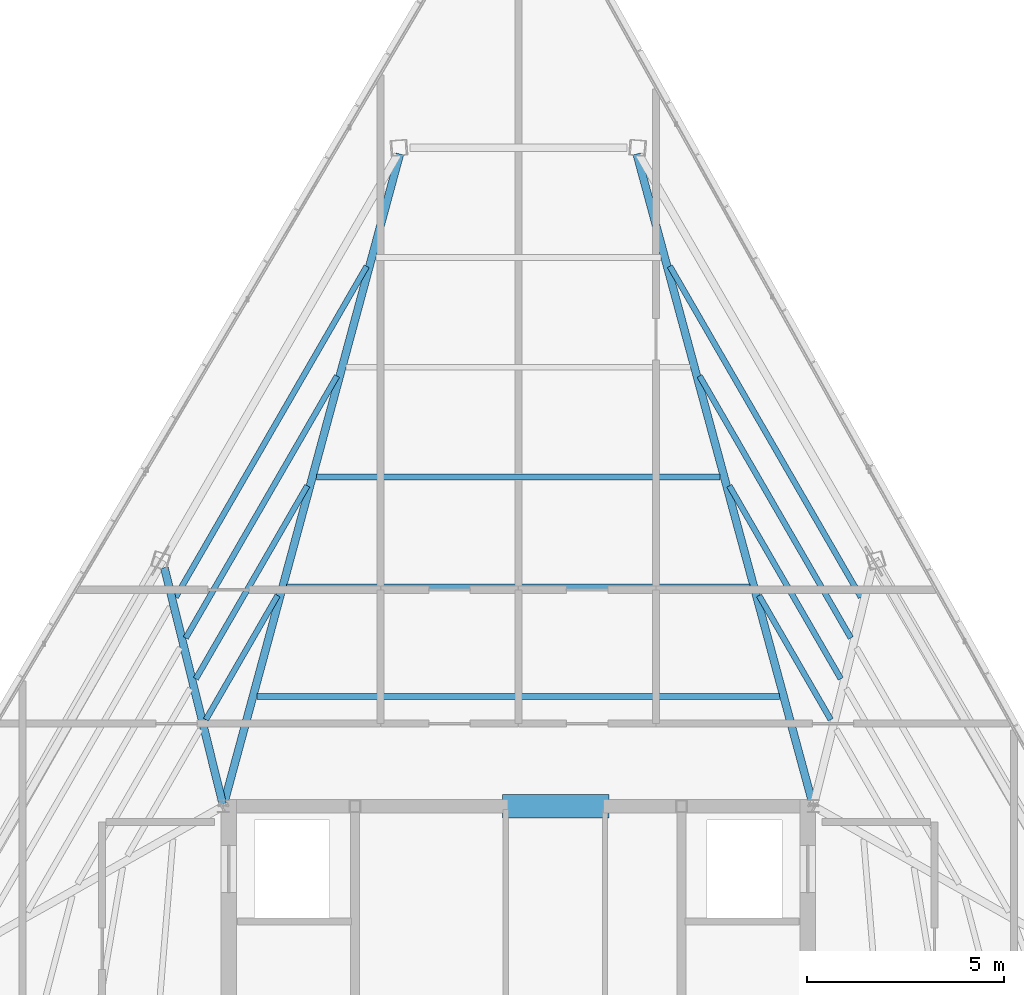
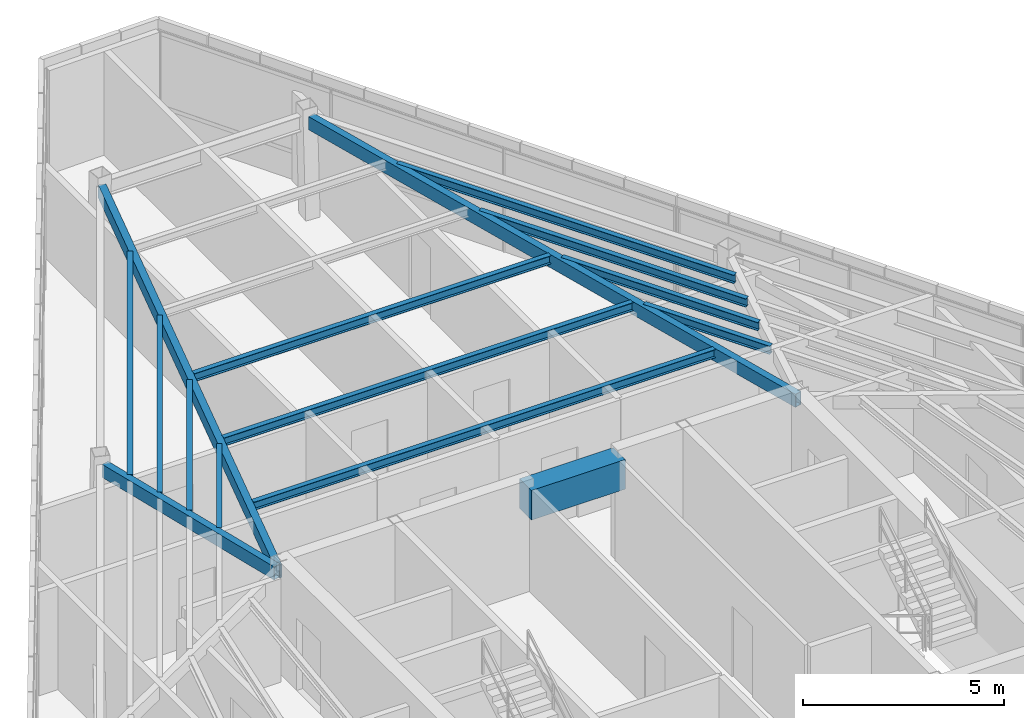
# One storey, part 20 of 44: 15 beams.
"""IFC4 building model written with IfcOpenShell, lengths in metres."""

from ifc_helpers import new_model, si_unit, direction, frame, origin, origin_2d, place, context, subcontext, project, spatial, rectangle, hollow_rectangle, i_section, extrude, source, transform, mapped, material, material_profile, profile_set, type_object, type_shapes, element, save


model = new_model("IFC4")

# Units and contexts
model_context = context("Model", 3, precision=1e-05, world=origin(), true_north=direction((0.0, 1.0)))
body_context = subcontext(model_context, "Body", "Model", "MODEL_VIEW")
ifc_project = project(units=[si_unit("LENGTHUNIT", "METRE"), si_unit("AREAUNIT", "SQUARE_METRE"), si_unit("VOLUMEUNIT", "CUBIC_METRE"), si_unit("PLANEANGLEUNIT", "RADIAN"), si_unit("MASSUNIT", "GRAM", prefix="KILO")], contexts=[model_context])

# Site, building, storey
site_placement = place(None, origin())
site = spatial("IfcSite", under=ifc_project, at=site_placement, CompositionType="ELEMENT")
building_placement = place(site_placement, origin())
building = spatial("IfcBuilding", under=site, at=building_placement, Name="Caelisora Broadcast Tower", CompositionType="ELEMENT")
storey_placement = place(building_placement, frame((0.0, 0.0, 289.800048828125)))
storey = spatial("IfcBuildingStorey", under=building, at=storey_placement, Name="L76", CompositionType="ELEMENT", Elevation=289.800048828125)

# Beams
ifc_material_1 = material(Name="Concrete 50 MPa (AS 3600 S50)", Category="concrete")
ifc_material_profile_1 = material_profile(ifc_material_1, rectangle(XDim=0.60009765625, YDim=0.89990234375, at=origin_2d()), Name="Concrete 50 MPa (AS 3600 S50)")
ifc_profile_set_1 = profile_set([ifc_material_profile_1], Name="Concrete 50 MPa (AS 3600 S50)")
beam_type_1 = type_object("IfcBeamType", Name="CB02", PredefinedType="LINTEL", material=ifc_profile_set_1)
shared_shape_1 = source(origin(), body_context, "Body", "SweptSolid", [
    extrude(rectangle(XDim=0.60009765625, YDim=0.89990234375, at=origin_2d()), origin(), (0.0, 0.0, 1.0), 2.699951171875),
])
type_shapes(beam_type_1, [shared_shape_1])
beam_1_placement = place(storey_placement, frame((37.60009765625, 30.0, 2.699951171875), z_axis=(1.0, 0.0, 0.0), x_axis=(0.0, 1.0, 0.0)))
element("IfcBeam", 1, at=beam_1_placement, inside=storey, type_object=beam_type_1, Name="L76 beam CB02", PredefinedType="LINTEL", context=body_context, shape_type="MappedRepresentation", body=[
    mapped(shared_shape_1, transform((0.0, 0.0, 0.0), scale=1.0)),
])
ifc_material_2 = material(Name="Steel Grade 350 (AS/NZS 3679.1)", Category="steel")
ifc_material_profile_2 = material_profile(ifc_material_2, i_section(OverallWidth=0.14599609375, OverallDepth=0.256103515625, WebThickness=0.00634765625, FlangeThickness=0.010986328125, at=origin_2d()), Name="Steel Grade 350 (AS/NZS 3679.1)")
ifc_profile_set_2 = profile_set([ifc_material_profile_2], Name="Steel Grade 350 (AS/NZS 3679.1)")
beam_type_2 = type_object("IfcBeamType", Name="SB04", PredefinedType="JOIST", material=ifc_profile_set_2)
shared_shape_2 = source(origin(), body_context, "Body", "SweptSolid", [
    extrude(i_section(OverallWidth=0.14599609375, OverallDepth=0.256103515625, WebThickness=0.00634765625, FlangeThickness=0.010986328125, at=origin_2d()), origin(), (0.0, 0.0, 1.0), 7.691650390625),
])
for number, where, z_axis, x_axis, name in (
    (2, (33.39208984375, 40.934326171875, 3.02197265625), (-0.500013694262, -0.866017497254, 0.0), (0.866017497254, -0.500013694262, 0.0), "L76 beam SB04"),
    (3, (46.453857421875, 34.273193359375, 3.02197265625), (-0.500013694262, 0.866017497254, 0.0), (-0.866017497254, -0.500013694262, 0.0), "L76 beam SB04"),
):
    element("IfcBeam", number, at=place(storey_placement, frame(where, z_axis=z_axis, x_axis=x_axis)), inside=storey, type_object=beam_type_2, Name=name, PredefinedType="JOIST", context=body_context, shape_type="MappedRepresentation", body=[
        mapped(shared_shape_2, transform((0.0, 0.0, 0.0), scale=1.0)),
    ])
ifc_material_3 = material(Name="Steel Grade 350 (AS/NZS 1163 C350L0)", Category="steel")
ifc_material_profile_3 = material_profile(ifc_material_3, hollow_rectangle(XDim=0.199951171875, YDim=0.39990234375, WallThickness=0.012451171875, at=origin_2d()), Name="Steel Grade 350 (AS/NZS 1163 C350L0)")
ifc_profile_set_3 = profile_set([ifc_material_profile_3], Name="Steel Grade 350 (AS/NZS 1163 C350L0)")
beam_type_3 = type_object("IfcBeamType", Name="PG07", PredefinedType="BEAM", material=ifc_profile_set_3)
shared_shape_3 = source(origin(), body_context, "Body", "SweptSolid", [
    extrude(hollow_rectangle(XDim=0.199951171875, YDim=0.39990234375, WallThickness=0.012451171875, at=origin_2d()), origin(), (0.0, 0.0, 1.0), 17.1142578125),
])
for number, where, z_axis, x_axis, name in (
    (4, (45.484375, 30.057861328125, 2.949951171875), (-0.261396924475, 0.965231396026, 0.0), (-0.965231396026, -0.261396924475, 0.0), "L76 beam PG07"),
    (5, (30.515625, 30.057861328125, 2.949951171875), (0.261396924475, 0.965231396026, 0.0), (-0.965231396026, 0.261396924475, 0.0), "L76 beam PG07"),
):
    element("IfcBeam", number, at=place(storey_placement, frame(where, z_axis=z_axis, x_axis=x_axis)), inside=storey, type_object=beam_type_3, Name=name, PredefinedType="BEAM", context=body_context, shape_type="MappedRepresentation", body=[
        mapped(shared_shape_3, transform((0.0, 0.0, 0.0), scale=1.0)),
    ])
shared_shape_4 = source(origin(), body_context, "Body", "SweptSolid", [
    extrude(hollow_rectangle(XDim=0.199951171875, YDim=0.39990234375, WallThickness=0.012451171875, at=origin_2d()), origin(), (0.0, 0.0, 1.0), 6.184814453125),
])
type_shapes(beam_type_3, [shared_shape_3, shared_shape_4])
beam_2_placement = place(storey_placement, frame((30.485595703125, 30.058349609375, 2.949951171875), z_axis=(-0.239645989967, 0.97086033985, 0.0), x_axis=(-0.97086033985, -0.239645989967, 0.0)))
element("IfcBeam", 6, at=beam_2_placement, inside=storey, type_object=beam_type_3, Name="L76 beam PG07", PredefinedType="BEAM", context=body_context, shape_type="MappedRepresentation", body=[
    mapped(shared_shape_4, transform((0.0, 0.0, 0.0), scale=1.0)),
])
shared_shape_5 = source(origin(), body_context, "Body", "SweptSolid", [
    extrude(i_section(OverallWidth=0.14599609375, OverallDepth=0.256103515625, WebThickness=0.00634765625, FlangeThickness=0.010986328125, at=origin_2d()), origin(), (0.0, 0.0, 1.0), 13.28759765625),
])
beam_3_placement = place(storey_placement, frame((44.643798828125, 32.789794921875, 3.02197265625), z_axis=(-1.0, 0.0, 0.0), x_axis=(0.0, -1.0, 0.0)))
element("IfcBeam", 7, at=beam_3_placement, inside=storey, type_object=beam_type_2, Name="L76 beam SB04", PredefinedType="JOIST", context=body_context, shape_type="MappedRepresentation", body=[
    mapped(shared_shape_5, transform((0.0, 0.0, 0.0), scale=1.0)),
])
shared_shape_6 = source(origin(), body_context, "Body", "SweptSolid", [
    extrude(i_section(OverallWidth=0.14599609375, OverallDepth=0.256103515625, WebThickness=0.00634765625, FlangeThickness=0.010986328125, at=origin_2d()), origin(), (0.0, 0.0, 1.0), 11.77685546875),
])
beam_4_placement = place(storey_placement, frame((43.888427734375, 35.579833984375, 3.02197265625), z_axis=(-1.0, 0.0, 0.0), x_axis=(0.0, -1.0, 0.0)))
element("IfcBeam", 8, at=beam_4_placement, inside=storey, type_object=beam_type_2, Name="L76 beam SB04", PredefinedType="JOIST", context=body_context, shape_type="MappedRepresentation", body=[
    mapped(shared_shape_6, transform((0.0, 0.0, 0.0), scale=1.0)),
])
shared_shape_7 = source(origin(), body_context, "Body", "SweptSolid", [
    extrude(i_section(OverallWidth=0.14599609375, OverallDepth=0.256103515625, WebThickness=0.00634765625, FlangeThickness=0.010986328125, at=origin_2d()), origin(), (0.0, 0.0, 1.0), 10.265625),
])
beam_5_placement = place(storey_placement, frame((43.1328125, 38.36962890625, 3.02197265625), z_axis=(-1.0, 0.0, 0.0), x_axis=(0.0, -1.0, 0.0)))
element("IfcBeam", 9, at=beam_5_placement, inside=storey, type_object=beam_type_2, Name="L76 beam SB04", PredefinedType="JOIST", context=body_context, shape_type="MappedRepresentation", body=[
    mapped(shared_shape_7, transform((0.0, 0.0, 0.0), scale=1.0)),
])
shared_shape_8 = source(origin(), body_context, "Body", "SweptSolid", [
    extrude(i_section(OverallWidth=0.14599609375, OverallDepth=0.256103515625, WebThickness=0.00634765625, FlangeThickness=0.010986328125, at=origin_2d()), origin(), (0.0, 0.0, 1.0), 3.64501953125),
])
for number, where, z_axis, x_axis, name in (
    (10, (31.880859375, 35.3544921875, 3.02197265625), (-0.499993018469, -0.866029434536, 0.0), (0.866029434536, -0.499993018469, 0.0), "L76 beam SB04"),
    (11, (45.941650390625, 32.19775390625, 3.02197265625), (-0.499993018469, 0.866029434536, 0.0), (-0.866029434536, -0.499993018469, 0.0), "L76 beam SB04"),
):
    element("IfcBeam", number, at=place(storey_placement, frame(where, z_axis=z_axis, x_axis=x_axis)), inside=storey, type_object=beam_type_2, Name=name, PredefinedType="JOIST", context=body_context, shape_type="MappedRepresentation", body=[
        mapped(shared_shape_8, transform((0.0, 0.0, 0.0), scale=1.0)),
    ])
shared_shape_9 = source(origin(), body_context, "Body", "SweptSolid", [
    extrude(i_section(OverallWidth=0.14599609375, OverallDepth=0.256103515625, WebThickness=0.00634765625, FlangeThickness=0.010986328125, at=origin_2d()), origin(), (0.0, 0.0, 1.0), 5.668212890625),
])
for number, where, z_axis, x_axis, name in (
    (12, (32.636474609375, 38.144287109375, 3.02197265625), (-0.50002569736, -0.866010566898, 0.0), (0.866010566898, -0.50002569736, 0.0), "L76 beam SB04"),
    (13, (46.19775390625, 33.235595703125, 3.02197265625), (-0.50002569736, 0.866010566898, 0.0), (-0.866010566898, -0.50002569736, 0.0), "L76 beam SB04"),
):
    element("IfcBeam", number, at=place(storey_placement, frame(where, z_axis=z_axis, x_axis=x_axis)), inside=storey, type_object=beam_type_2, Name=name, PredefinedType="JOIST", context=body_context, shape_type="MappedRepresentation", body=[
        mapped(shared_shape_9, transform((0.0, 0.0, 0.0), scale=1.0)),
    ])
shared_shape_10 = source(origin(), body_context, "Body", "SweptSolid", [
    extrude(i_section(OverallWidth=0.14599609375, OverallDepth=0.256103515625, WebThickness=0.00634765625, FlangeThickness=0.010986328125, at=origin_2d()), origin(), (0.0, 0.0, 1.0), 9.71484375),
])
type_shapes(beam_type_2, [shared_shape_2, shared_shape_5, shared_shape_6, shared_shape_7, shared_shape_8, shared_shape_9, shared_shape_10])
for number, where, z_axis, x_axis, name in (
    (14, (34.1474609375, 43.72412109375, 3.02197265625), (-0.499998725377, -0.866026139687, 0.0), (0.866026139687, -0.499998725377, 0.0), "L76 beam SB04"),
    (15, (46.7099609375, 35.310791015625, 3.02197265625), (-0.499998725377, 0.866026139687, 0.0), (-0.866026139687, -0.499998725377, 0.0), "L76 beam SB04"),
):
    element("IfcBeam", number, at=place(storey_placement, frame(where, z_axis=z_axis, x_axis=x_axis)), inside=storey, type_object=beam_type_2, Name=name, PredefinedType="JOIST", context=body_context, shape_type="MappedRepresentation", body=[
        mapped(shared_shape_10, transform((0.0, 0.0, 0.0), scale=1.0)),
    ])

save(model, "model.ifc")
